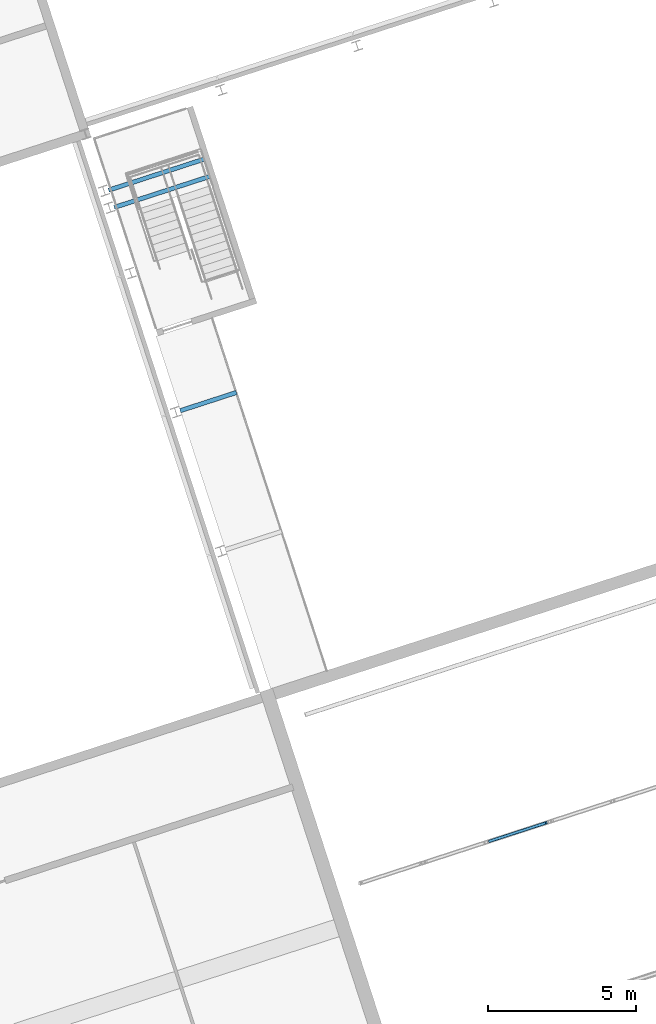
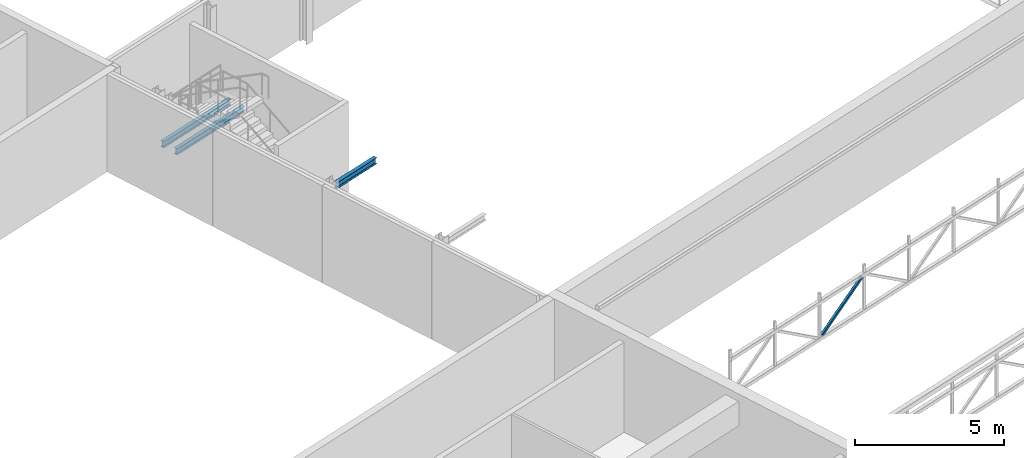
# One storey, part 20 of 81: 3 beams, 1 member.
"""IFC4 building model written with IfcOpenShell, lengths in metres."""

import ifcopenshell
import ifcopenshell.guid

model = None  # the IFC model being written
_history = None  # IfcOwnerHistory: only IFC2X3 demands one
_inside = {}  # id of a spatial element -> (the spatial element, [elements in it])
_under = {}  # id of a project, library or spatial element -> (it, [spatial elements below it])
_declared = {}  # id of a project -> (the project, [libraries it declares])
_typed = {}  # id of a type object -> (the type object, [elements of that type])
_made_of = {}  # id of a material, layer set ... -> (it, [elements and type objects made of it])


def new_model(schema):
    """Start an empty IFC model of exactly this schema.

    Asked for "IFC4X3", IfcOpenShell would pick the latest addendum, in which some entities
    have other attributes; the version numbers below select the first issue.
    IFC2X3 requires an IfcOwnerHistory on every rooted entity: one is made here for all.
    """
    global model, _history
    if schema == "IFC4X3":
        model = ifcopenshell.file(schema_version=(4, 3, 0, 0))
    else:
        model = ifcopenshell.file(schema=schema)
    _inside.clear()
    _under.clear()
    _declared.clear()
    _typed.clear()
    _made_of.clear()
    _history = None
    if model.schema == "IFC2X3":
        org = make("IfcOrganization", Name="unknown")
        user = make(
            "IfcPersonAndOrganization",
            ThePerson=make("IfcPerson", FamilyName="unknown"),
            TheOrganization=org,
        )
        app = make(
            "IfcApplication",
            ApplicationDeveloper=org,
            Version="unknown",
            ApplicationFullName="unknown",
            ApplicationIdentifier="unknown",
        )
        _history = make(
            "IfcOwnerHistory",
            OwningUser=user,
            OwningApplication=app,
            ChangeAction="ADDED",
            CreationDate=0,
        )
    return model


def make(cls, **values):
    """One entity of the class cls with the attributes given. An attribute that is None is left unset."""
    return model.create_entity(
        cls, **{name: value for name, value in values.items() if value is not None}
    )


def rooted(cls, **values):
    """An entity with a GlobalId (a new one), such as an element, a storey or a relation."""
    return make(cls, GlobalId=ifcopenshell.guid.new(), OwnerHistory=_history, **values)


def si_unit(unit_type, name, prefix=None):
    """IfcSIUnit, for example si_unit("LENGTHUNIT", "METRE", prefix="MILLI")."""
    return make("IfcSIUnit", UnitType=unit_type, Prefix=prefix, Name=name)


def assignment(units):
    """IfcUnitAssignment: the units of a project."""
    return None if units is None else make("IfcUnitAssignment", Units=units)


def point(xyz):
    """IfcCartesianPoint."""
    return None if xyz is None else make("IfcCartesianPoint", Coordinates=xyz)


def direction(xyz):
    """IfcDirection."""
    return None if xyz is None else make("IfcDirection", DirectionRatios=xyz)


def frame(location, z_axis=None, x_axis=None):
    """IfcAxis2Placement3D, a coordinate frame: its origin and axes. An axis left out is left unset."""
    return make(
        "IfcAxis2Placement3D",
        Location=point(location),
        Axis=direction(z_axis),
        RefDirection=direction(x_axis),
    )


def frame_2d(location, x_axis=None):
    """IfcAxis2Placement2D, a coordinate frame in the plane: its origin and x axis."""
    return make(
        "IfcAxis2Placement2D", Location=point(location), RefDirection=direction(x_axis)
    )


def origin():
    """The frame at (0, 0, 0) with its axes left unset."""
    return frame((0.0, 0.0, 0.0))


def origin_2d():
    """The frame at (0, 0) in the plane with its x axis left unset."""
    return frame_2d((0.0, 0.0))


def place(relative_to, where):
    """IfcLocalPlacement: puts the frame where relative to a parent placement (None: the world)."""
    return make(
        "IfcLocalPlacement", PlacementRelTo=relative_to, RelativePlacement=where
    )


def context(
    kind, dimensions, precision=None, world=None, true_north=None, identifier=None
):
    """IfcGeometricRepresentationContext, for example the 3D "Model" context."""
    return make(
        "IfcGeometricRepresentationContext",
        ContextIdentifier=identifier,
        ContextType=kind,
        CoordinateSpaceDimension=dimensions,
        Precision=precision,
        WorldCoordinateSystem=world,
        TrueNorth=true_north,
    )


def subcontext(parent, identifier, kind, view, scale=None):
    """IfcGeometricRepresentationSubContext, for example "Body" below "Model"."""
    return make(
        "IfcGeometricRepresentationSubContext",
        ContextIdentifier=identifier,
        ContextType=kind,
        ParentContext=parent,
        TargetScale=scale,
        TargetView=view,
    )


def project(units=None, contexts=None):
    """IfcProject with its units and contexts."""
    return rooted(
        "IfcProject",
        Name="project",
        RepresentationContexts=contexts,
        UnitsInContext=assignment(units),
    )


def spatial(cls, under=None, at=None, **own):
    """A site, building, storey or space (cls), placed at a placement, below another one or the project."""
    s = rooted(cls, ObjectPlacement=at, **own)
    if under is not None:
        _under.setdefault(under.id(), (under, []))[1].append(s)
    return s


def profile(cls, at=None, kind="AREA", **sizes):
    """A parametric profile (cls). Its sizes go by their IFC names, for example OverallWidth=200.0."""
    return make(cls, ProfileType=kind, Position=at, **sizes)


def hollow_rectangle(**sizes):
    """IfcRectangleHollowProfileDef."""
    return profile("IfcRectangleHollowProfileDef", **sizes)


def i_section(**sizes):
    """IfcIShapeProfileDef."""
    return profile("IfcIShapeProfileDef", **sizes)


def extrude(swept, where, along, depth):
    """IfcExtrudedAreaSolid: the profile swept, set in the frame where, extruded along a direction by depth."""
    return make(
        "IfcExtrudedAreaSolid",
        SweptArea=swept,
        Position=where,
        ExtrudedDirection=direction(along),
        Depth=depth,
    )


def shape(context_of_items, identifier, shape_type, items):
    """IfcShapeRepresentation: the items that make up one representation, for example the "Body"."""
    return make(
        "IfcShapeRepresentation",
        ContextOfItems=context_of_items,
        RepresentationIdentifier=identifier,
        RepresentationType=shape_type,
        Items=items,
    )


def material(Name=None, Category=None):
    """IfcMaterial."""
    return make("IfcMaterial", Name=Name, Category=Category)


def material_profile(
    of_material, cross_section, Name=None, Category=None, Priority=None
):
    """IfcMaterialProfile: a cross section and its material."""
    return make(
        "IfcMaterialProfile",
        Name=Name,
        Material=of_material,
        Profile=cross_section,
        Priority=Priority,
        Category=Category,
    )


def profile_set(profiles, Name=None, composite=None):
    """IfcMaterialProfileSet."""
    return make(
        "IfcMaterialProfileSet",
        Name=Name,
        MaterialProfiles=profiles,
        CompositeProfile=composite,
    )


def made_of(thing, what):
    """Note that an element or type object is made of a material, layer set ...; save() writes the relation."""
    if what is not None:
        _made_of.setdefault(what.id(), (what, []))[1].append(thing)
    return thing


def type_object(cls, material=None, **own):
    """A type object (cls), such as IfcWallType, which elements share."""
    return made_of(rooted(cls, **own), material)


def element(
    cls,
    number,
    at=None,
    inside=None,
    cuts=None,
    type_object=None,
    material=None,
    context=None,
    identifier="Body",
    shape_type=None,
    held_by="IfcProductDefinitionShape",
    body=None,
    shapes=None,
    **own,
):
    """One element of the class cls, such as IfcWall. Its Tag is "e" and its number.

    at: its placement. inside: the storey or other place that contains it. cuts: it is an
    opening in that element (IfcRelVoidsElement). A single representation is given by context,
    identifier, shape_type and body (its items); several are given by shapes. held_by: the class
    of the entity that holds the representations. save() writes the other relations.
    """
    e = rooted(cls, Tag="e%d" % number, ObjectPlacement=at, **own)
    if body is not None:
        shapes = [shape(context, identifier, shape_type, body)]
    if shapes is not None:
        e.Representation = make(held_by, Representations=shapes)
    if inside is not None:
        _inside.setdefault(inside.id(), (inside, []))[1].append(e)
    if cuts is not None:
        rooted(
            "IfcRelVoidsElement", RelatingBuildingElement=cuts, RelatedOpeningElement=e
        )
    if type_object is not None:
        _typed.setdefault(type_object.id(), (type_object, []))[1].append(e)
    return made_of(e, material)


def aggregate(whole, parts):
    """IfcRelAggregates: a whole, such as a stair, and the parts it consists of."""
    return rooted("IfcRelAggregates", RelatingObject=whole, RelatedObjects=parts)


def save(model, path):
    """Write the relations noted so far, then the file.

    IfcRelAggregates (storeys below a building ...), IfcRelContainedInSpatialStructure (elements
    in a storey), IfcRelDefinesByType, IfcRelAssociatesMaterial and IfcRelDeclares: one each for
    every whole, place, type object, material and project.
    """
    for whole, parts in _under.values():
        aggregate(whole, parts)
    for where, things in _inside.values():
        rooted(
            "IfcRelContainedInSpatialStructure",
            RelatedElements=things,
            RelatingStructure=where,
        )
    for kind, things in _typed.values():
        rooted("IfcRelDefinesByType", RelatedObjects=things, RelatingType=kind)
    for what, things in _made_of.values():
        rooted("IfcRelAssociatesMaterial", RelatedObjects=things, RelatingMaterial=what)
    for by, libraries in _declared.values():
        rooted("IfcRelDeclares", RelatingContext=by, RelatedDefinitions=libraries)
    model.write(path)


model = new_model("IFC4")

# Units and contexts
model_context = context("Model", 3, precision=1e-05, world=origin(), true_north=direction((0.0, 1.0)))
body_context = subcontext(model_context, "Body", "Model", "MODEL_VIEW")
ifc_project = project(units=[si_unit("LENGTHUNIT", "METRE"), si_unit("AREAUNIT", "SQUARE_METRE"), si_unit("VOLUMEUNIT", "CUBIC_METRE"), si_unit("PLANEANGLEUNIT", "RADIAN"), si_unit("MASSUNIT", "GRAM", prefix="KILO")], contexts=[model_context])

# Site, building, storey
site_placement = place(None, origin())
site = spatial("IfcSite", under=ifc_project, at=site_placement, CompositionType="ELEMENT")
building_placement = place(site_placement, origin())
building = spatial("IfcBuilding", under=site, at=building_placement, Name="Tuart Plaza Theatre", CompositionType="ELEMENT")
storey_placement = place(building_placement, frame((0.0, 0.0, 17.5)))
storey = spatial("IfcBuildingStorey", under=building, at=storey_placement, Name="L04", CompositionType="ELEMENT", Elevation=17.5)

# Beams
ifc_material_1 = material(Name="Steel Grade 300", Category="steel")
ifc_material_profile_1 = material_profile(ifc_material_1, i_section(OverallWidth=0.14599609375, OverallDepth=0.256103515625, WebThickness=0.00634765625, FlangeThickness=0.010986328125, FilletRadius=0.0087890625, at=origin_2d()), Name="250UB37.3")
ifc_profile_set_1 = profile_set([ifc_material_profile_1], Name="Steel Grade 300")
beam_type = type_object("IfcBeamType", Name="BEAM 250UB37.3", PredefinedType="BEAM", material=ifc_profile_set_1)
for number, where, z_axis, x_axis, name in (
    (1, (39.3662109375, 86.215576171875, 1.672119140625), (-0.951044110681, -0.309055172321, 0.0), (0.309055172321, -0.951044110681, 0.0), "SB37"),
    (2, (39.176025390625, 86.800537109375, 1.672119140625), (-0.951044110681, -0.309055172321, 0.0), (0.309055172321, -0.951044110681, 0.0), "SB38"),
):
    element("IfcBeam", number, at=place(storey_placement, frame(where, z_axis=z_axis, x_axis=x_axis)), inside=storey, type_object=beam_type, Name=name, PredefinedType="BEAM", context=body_context, shape_type="SweptSolid", body=[
        extrude(i_section(OverallWidth=0.14599609375, OverallDepth=0.256103515625, WebThickness=0.00634765625, FlangeThickness=0.010986328125, FilletRadius=0.0087890625, at=origin_2d()), origin(), (0.0, 0.0, 1.0), 3.39453125),
    ])
beam_placement = place(storey_placement, frame((38.374267578125, 78.283203125, 3.672119140625), z_axis=(0.951036759863, 0.309077791808, 0.0), x_axis=(-0.309077791808, 0.951036759863, 0.0)))
element("IfcBeam", 3, at=beam_placement, inside=storey, type_object=beam_type, Name="SB96", PredefinedType="BEAM", context=body_context, shape_type="SweptSolid", body=[
    extrude(i_section(OverallWidth=0.14599609375, OverallDepth=0.256103515625, WebThickness=0.00634765625, FlangeThickness=0.010986328125, FilletRadius=0.0087890625, at=origin_2d()), origin(), (0.0, 0.0, 1.0), 2.0),
])

# Member
ifc_material_2 = material(Name="Steel Grade C350L0", Category="steel")
ifc_material_profile_2 = material_profile(ifc_material_2, hollow_rectangle(XDim=0.10009765625, YDim=0.10009765625, WallThickness=0.006103515625, InnerFilletRadius=0.006103515625, OuterFilletRadius=0.011962890625, at=origin_2d()), Name="100x100x6 SHS")
ifc_profile_set_2 = profile_set([ifc_material_profile_2], Name="Steel Grade C350L0")
member_type = type_object("IfcMemberType", Name="MEMBER Brace 100x100x6 SHS", PredefinedType="BRACE", material=ifc_profile_set_2)
member_placement = place(storey_placement, frame((48.844482421875, 63.705322265625, 2.683837890625), z_axis=(0.791137461797, 0.256986664408, 0.555030963872), x_axis=(-0.308941443477, 0.951081060953, 0.0)))
element("IfcMember", 4, at=member_placement, inside=storey, type_object=member_type, Name="BR133", PredefinedType="BRACE", context=body_context, shape_type="SweptSolid", body=[
    extrude(hollow_rectangle(XDim=0.10009765625, YDim=0.10009765625, WallThickness=0.006103515625, InnerFilletRadius=0.006103515625, OuterFilletRadius=0.011962890625, at=origin_2d()), origin(), (0.0, 0.0, 1.0), 2.43212890625),
])

save(model, "model.ifc")
